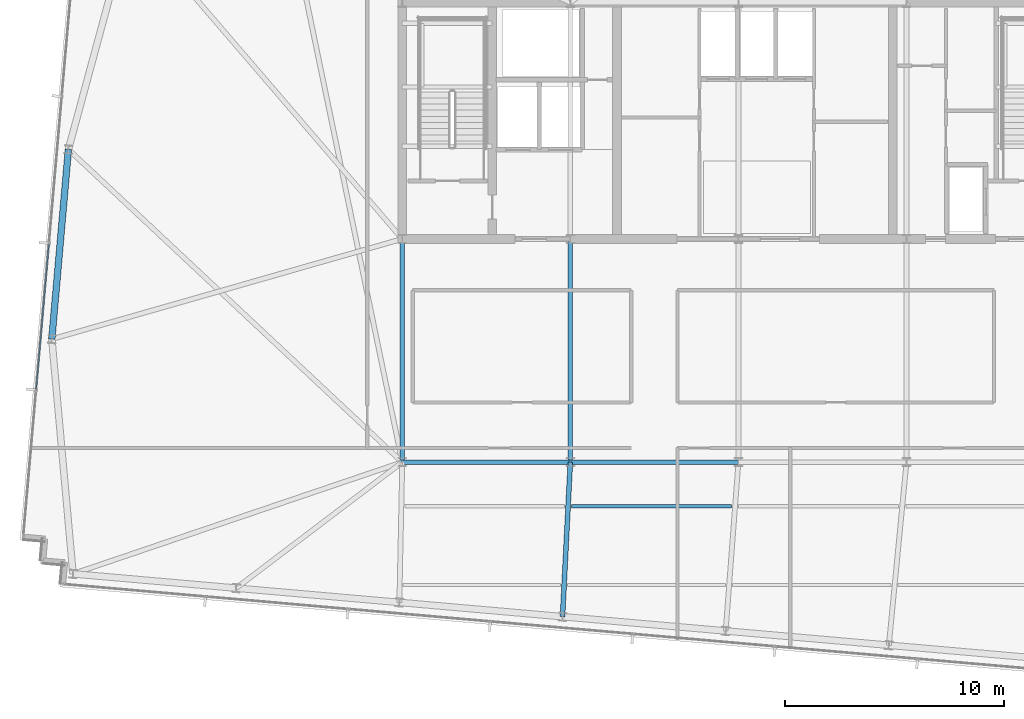
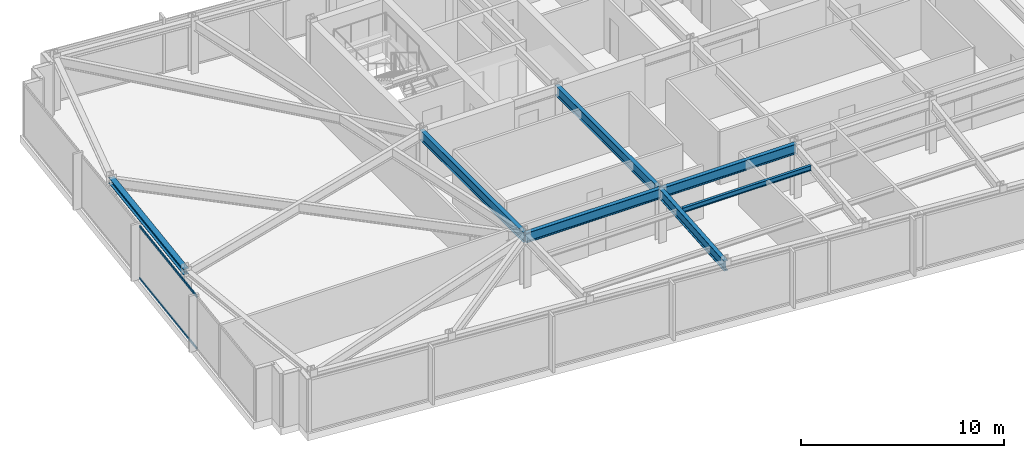
# One storey, part 8 of 32: 7 beams, 2 members, 1 element without a shape of its own.
"""IFC4 building model written with IfcOpenShell, lengths in metres."""

from ifc_helpers import new_model, si_unit, direction, frame, origin, origin_2d, place, context, subcontext, project, spatial, hollow_rectangle, i_section, extrude, material, material_profile, profile_set, type_object, element, aggregate, save


model = new_model("IFC4")

# Units and contexts
model_context = context("Model", 3, precision=1e-05, world=origin(), true_north=direction((0.0, 1.0)))
body_context = subcontext(model_context, "Body", "Model", "MODEL_VIEW")
ifc_project = project(units=[si_unit("LENGTHUNIT", "METRE"), si_unit("AREAUNIT", "SQUARE_METRE"), si_unit("VOLUMEUNIT", "CUBIC_METRE"), si_unit("PLANEANGLEUNIT", "RADIAN"), si_unit("MASSUNIT", "GRAM", prefix="KILO")], contexts=[model_context])

# Site, building, storey
site_placement = place(None, origin())
site = spatial("IfcSite", under=ifc_project, at=site_placement, CompositionType="ELEMENT")
building_placement = place(site_placement, origin())
building = spatial("IfcBuilding", under=site, at=building_placement, Name="Yelkora Congress Tower", CompositionType="ELEMENT")
storey_placement = place(building_placement, frame((0.0, 0.0, 259.10009765625)))
storey = spatial("IfcBuildingStorey", under=building, at=storey_placement, Name="L72", CompositionType="ELEMENT", Elevation=259.10009765625)

# Beams
ifc_material_1 = material(Name="Steel S355J2", Category="steel")
ifc_material_profile_1 = material_profile(ifc_material_1, i_section(OverallWidth=0.219970703125, OverallDepth=0.60009765625, WebThickness=0.011962890625, FlangeThickness=0.01904296875, FilletRadius=0.02392578125, at=origin_2d()), Name="IPE 600")
ifc_profile_set_1 = profile_set([ifc_material_profile_1], Name="Steel S355J2")
beam_type_1 = type_object("IfcBeamType", Name="BM-GIRD-IPE600", PredefinedType="BEAM", material=ifc_profile_set_1)
for number, where, z_axis, x_axis, name in (
    (1, (23.0400390625, 25.199951171875, 2.8798828125), (1.0, 0.0, 0.0), (0.0, 1.0, 0.0), "L72 Spine Grid D Girder 1"),
    (2, (30.719970703125, 25.199951171875, 2.8798828125), (1.0, 0.0, 0.0), (0.0, 1.0, 0.0), "L72 Spine Grid D Girder 2"),
):
    element("IfcBeam", number, at=place(storey_placement, frame(where, z_axis=z_axis, x_axis=x_axis)), inside=storey, type_object=beam_type_1, Name=name, PredefinedType="BEAM", context=body_context, shape_type="SweptSolid", body=[
        extrude(i_section(OverallWidth=0.219970703125, OverallDepth=0.60009765625, WebThickness=0.011962890625, FlangeThickness=0.01904296875, FilletRadius=0.02392578125, at=origin_2d()), origin(), (0.0, 0.0, 1.0), 7.679931640625),
    ])
for number, where, z_axis, x_axis, name in (
    (3, (23.0400390625, 25.199951171875, 2.8798828125), (0.0, 1.0, 0.0), (-1.0, 0.0, 0.0), "L72 Core Tie Girder MC-D1"),
    (4, (30.719970703125, 25.199951171875, 2.8798828125), (0.0, 1.0, 0.0), (-1.0, 0.0, 0.0), "L72 Core Tie Girder MC-D2"),
):
    element("IfcBeam", number, at=place(storey_placement, frame(where, z_axis=z_axis, x_axis=x_axis)), inside=storey, type_object=beam_type_1, Name=name, PredefinedType="BEAM", context=body_context, shape_type="SweptSolid", body=[
        extrude(i_section(OverallWidth=0.219970703125, OverallDepth=0.60009765625, WebThickness=0.011962890625, FlangeThickness=0.01904296875, FilletRadius=0.02392578125, at=origin_2d()), origin(), (0.0, 0.0, 1.0), 10.199951171875),
    ])
beam_1_placement = place(storey_placement, frame((30.362548828125, 18.14111328125, 2.8798828125), z_axis=(0.050569876836, 0.998720525251, 0.0), x_axis=(-0.998720525251, 0.050569876836, 0.0)))
element("IfcBeam", 5, at=beam_1_placement, inside=storey, type_object=beam_type_1, Name="L72 Primary Frame Girder S04", PredefinedType="BEAM", context=body_context, shape_type="SweptSolid", body=[
    extrude(i_section(OverallWidth=0.219970703125, OverallDepth=0.60009765625, WebThickness=0.011962890625, FlangeThickness=0.01904296875, FilletRadius=0.02392578125, at=origin_2d()), origin(), (0.0, 0.0, 1.0), 7.06787109375),
])
ifc_material_profile_2 = material_profile(ifc_material_1, i_section(OverallWidth=0.14990234375, OverallDepth=0.300048828125, WebThickness=0.007080078125, FlangeThickness=0.0107421875, FilletRadius=0.014892578125, at=origin_2d()), Name="IPE 300")
ifc_profile_set_2 = profile_set([ifc_material_profile_2], Name="Steel S355J2")
beam_type_2 = type_object("IfcBeamType", Name="BM-JOIST-IPE300", PredefinedType="JOIST", material=ifc_profile_set_2)
beam_2_placement = place(storey_placement, frame((30.778076171875, 23.1845703125, 3.02978515625), z_axis=(1.0, 0.0, 0.0), x_axis=(0.0, 1.0, 0.0)))
element("IfcBeam", 6, at=beam_2_placement, inside=storey, type_object=beam_type_2, Name="L72 Composite Floor Joist 6", PredefinedType="JOIST", context=body_context, shape_type="SweptSolid", body=[
    extrude(i_section(OverallWidth=0.14990234375, OverallDepth=0.300048828125, WebThickness=0.007080078125, FlangeThickness=0.0107421875, FilletRadius=0.014892578125, at=origin_2d()), origin(), (0.0, 0.0, 1.0), 7.3095703125),
])
ifc_material_profile_3 = material_profile(ifc_material_1, i_section(OverallWidth=0.300048828125, OverallDepth=0.340087890625, WebThickness=0.011962890625, FlangeThickness=0.021484375, FilletRadius=0.027099609375, at=origin_2d()), Name="HEB 340")
ifc_profile_set_3 = profile_set([ifc_material_profile_3], Name="Steel S355J2")
beam_type_3 = type_object("IfcBeamType", Name="BM-SPAN-HEB340", PredefinedType="SPANDREL", material=ifc_profile_set_3)
beam_3_placement = place(storey_placement, frame((7.787353515625, 39.489990234375, 3.010009765625), z_axis=(-0.08715998813, -0.99619432666, 0.0), x_axis=(0.99619432666, -0.08715998813, 0.0)))
element("IfcBeam", 7, at=beam_3_placement, inside=storey, type_object=beam_type_3, Name="L72 Perimeter Beam 14", PredefinedType="SPANDREL", context=body_context, shape_type="SweptSolid", body=[
    extrude(i_section(OverallWidth=0.300048828125, OverallDepth=0.340087890625, WebThickness=0.011962890625, FlangeThickness=0.021484375, FilletRadius=0.027099609375, at=origin_2d()), origin(), (0.0, 0.0, 1.0), 8.7001953125),
])

# Curtain wall, members
ifc_material_2 = material(Name="Anodised aluminium and insulated glass", Category="aluminium")
curtain_wall_type = type_object("IfcCurtainWallType", Name="CW-SYS-B5", PredefinedType="NOTDEFINED", material=ifc_material_2)
curtain_wall_placement = place(storey_placement, origin())
curtain_wall = element("IfcCurtainWall", 8, at=curtain_wall_placement, inside=storey, type_object=curtain_wall_type, Name="L72 Unitised Curtain Wall 5", PredefinedType="NOTDEFINED")
ifc_material_3 = material(Name="Anodised aluminium 6063-T6", Category="aluminium")
ifc_material_profile_4 = material_profile(ifc_material_3, hollow_rectangle(XDim=0.06005859375, YDim=0.1298828125, WallThickness=0.00390625, at=origin_2d()), Name="ALU 60x130x4")
ifc_profile_set_4 = profile_set([ifc_material_profile_4], Name="Anodised aluminium 6063-T6")
member_type = type_object("IfcMemberType", Name="MEM-TR-B5", PredefinedType="USERDEFINED", material=ifc_profile_set_4)
member_1_placement = place(storey_placement, frame((6.31640625, 28.529052734375, 0.02978515625), z_axis=(0.087182854761, 0.996192325726, 0.0), x_axis=(-0.996192325726, 0.087182854761, 0.0)))
member_1 = element("IfcMember", 9, at=member_1_placement, type_object=member_type, Name="CW-B5 transom 2.1", ObjectType="TRANSOM", PredefinedType="USERDEFINED", context=body_context, shape_type="SweptSolid", body=[
    extrude(hollow_rectangle(XDim=0.06005859375, YDim=0.1298828125, WallThickness=0.00390625, at=origin_2d()), origin(), (0.0, 0.0, 1.0), 6.664794921875),
])
member_2_placement = place(storey_placement, frame((6.31640625, 28.529052734375, 3.14990234375), z_axis=(0.087182854761, 0.996192325726, 0.0), x_axis=(-0.996192325726, 0.087182854761, 0.0)))
member_2 = element("IfcMember", 10, at=member_2_placement, type_object=member_type, Name="CW-B5 transom 2.2", ObjectType="TRANSOM", PredefinedType="USERDEFINED", context=body_context, shape_type="SweptSolid", body=[
    extrude(hollow_rectangle(XDim=0.06005859375, YDim=0.1298828125, WallThickness=0.00390625, at=origin_2d()), origin(), (0.0, 0.0, 1.0), 6.664794921875),
])
aggregate(curtain_wall, [member_1, member_2])

save(model, "model.ifc")
